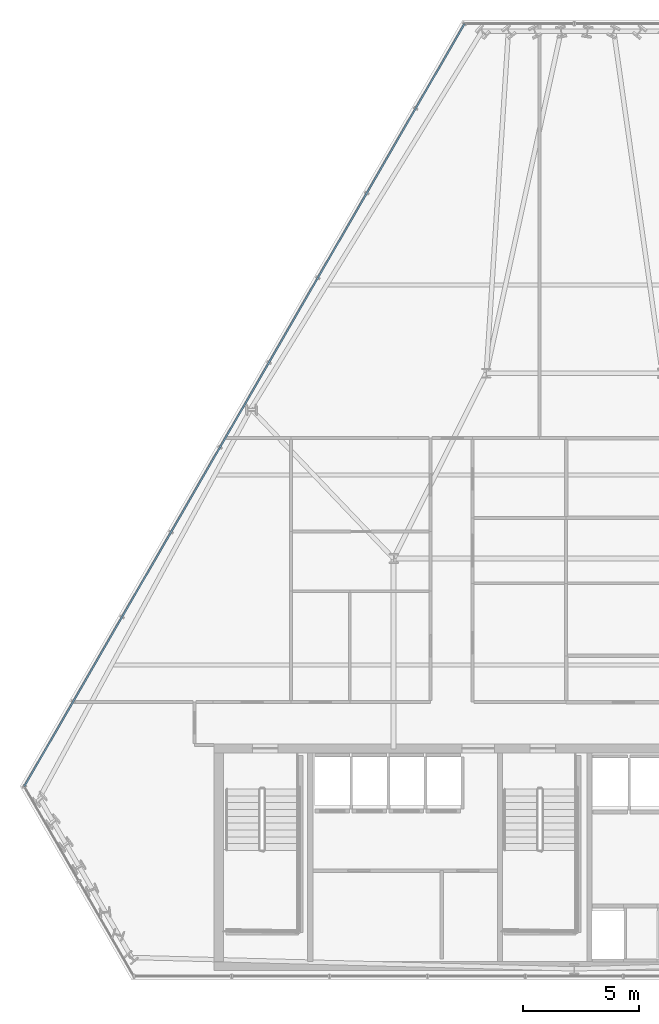
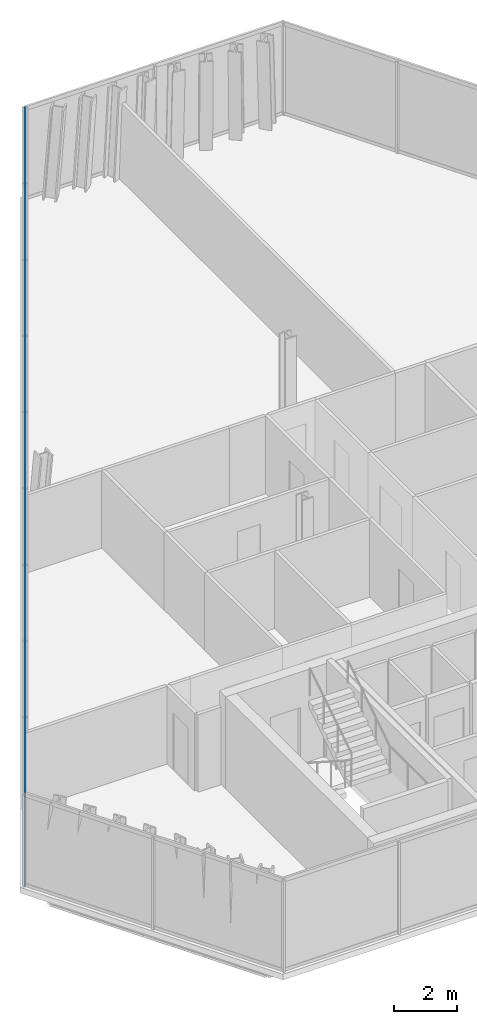
# One storey, part 11 of 33: 2 members, 1 element without a shape of its own.
"""IFC4 building model written with IfcOpenShell, lengths in metres."""

import ifcopenshell
import ifcopenshell.guid

model = None  # the IFC model being written
_history = None  # IfcOwnerHistory: only IFC2X3 demands one
_inside = {}  # id of a spatial element -> (the spatial element, [elements in it])
_under = {}  # id of a project, library or spatial element -> (it, [spatial elements below it])
_declared = {}  # id of a project -> (the project, [libraries it declares])
_typed = {}  # id of a type object -> (the type object, [elements of that type])
_made_of = {}  # id of a material, layer set ... -> (it, [elements and type objects made of it])


def new_model(schema):
    """Start an empty IFC model of exactly this schema.

    Asked for "IFC4X3", IfcOpenShell would pick the latest addendum, in which some entities
    have other attributes; the version numbers below select the first issue.
    IFC2X3 requires an IfcOwnerHistory on every rooted entity: one is made here for all.
    """
    global model, _history
    if schema == "IFC4X3":
        model = ifcopenshell.file(schema_version=(4, 3, 0, 0))
    else:
        model = ifcopenshell.file(schema=schema)
    _inside.clear()
    _under.clear()
    _declared.clear()
    _typed.clear()
    _made_of.clear()
    _history = None
    if model.schema == "IFC2X3":
        org = make("IfcOrganization", Name="unknown")
        user = make(
            "IfcPersonAndOrganization",
            ThePerson=make("IfcPerson", FamilyName="unknown"),
            TheOrganization=org,
        )
        app = make(
            "IfcApplication",
            ApplicationDeveloper=org,
            Version="unknown",
            ApplicationFullName="unknown",
            ApplicationIdentifier="unknown",
        )
        _history = make(
            "IfcOwnerHistory",
            OwningUser=user,
            OwningApplication=app,
            ChangeAction="ADDED",
            CreationDate=0,
        )
    return model


def make(cls, **values):
    """One entity of the class cls with the attributes given. An attribute that is None is left unset."""
    return model.create_entity(
        cls, **{name: value for name, value in values.items() if value is not None}
    )


def rooted(cls, **values):
    """An entity with a GlobalId (a new one), such as an element, a storey or a relation."""
    return make(cls, GlobalId=ifcopenshell.guid.new(), OwnerHistory=_history, **values)


def si_unit(unit_type, name, prefix=None):
    """IfcSIUnit, for example si_unit("LENGTHUNIT", "METRE", prefix="MILLI")."""
    return make("IfcSIUnit", UnitType=unit_type, Prefix=prefix, Name=name)


def assignment(units):
    """IfcUnitAssignment: the units of a project."""
    return None if units is None else make("IfcUnitAssignment", Units=units)


def point(xyz):
    """IfcCartesianPoint."""
    return None if xyz is None else make("IfcCartesianPoint", Coordinates=xyz)


def direction(xyz):
    """IfcDirection."""
    return None if xyz is None else make("IfcDirection", DirectionRatios=xyz)


def frame(location, z_axis=None, x_axis=None):
    """IfcAxis2Placement3D, a coordinate frame: its origin and axes. An axis left out is left unset."""
    return make(
        "IfcAxis2Placement3D",
        Location=point(location),
        Axis=direction(z_axis),
        RefDirection=direction(x_axis),
    )


def frame_2d(location, x_axis=None):
    """IfcAxis2Placement2D, a coordinate frame in the plane: its origin and x axis."""
    return make(
        "IfcAxis2Placement2D", Location=point(location), RefDirection=direction(x_axis)
    )


def origin():
    """The frame at (0, 0, 0) with its axes left unset."""
    return frame((0.0, 0.0, 0.0))


def origin_2d():
    """The frame at (0, 0) in the plane with its x axis left unset."""
    return frame_2d((0.0, 0.0))


def place(relative_to, where):
    """IfcLocalPlacement: puts the frame where relative to a parent placement (None: the world)."""
    return make(
        "IfcLocalPlacement", PlacementRelTo=relative_to, RelativePlacement=where
    )


def context(
    kind, dimensions, precision=None, world=None, true_north=None, identifier=None
):
    """IfcGeometricRepresentationContext, for example the 3D "Model" context."""
    return make(
        "IfcGeometricRepresentationContext",
        ContextIdentifier=identifier,
        ContextType=kind,
        CoordinateSpaceDimension=dimensions,
        Precision=precision,
        WorldCoordinateSystem=world,
        TrueNorth=true_north,
    )


def subcontext(parent, identifier, kind, view, scale=None):
    """IfcGeometricRepresentationSubContext, for example "Body" below "Model"."""
    return make(
        "IfcGeometricRepresentationSubContext",
        ContextIdentifier=identifier,
        ContextType=kind,
        ParentContext=parent,
        TargetScale=scale,
        TargetView=view,
    )


def project(units=None, contexts=None):
    """IfcProject with its units and contexts."""
    return rooted(
        "IfcProject",
        Name="project",
        RepresentationContexts=contexts,
        UnitsInContext=assignment(units),
    )


def spatial(cls, under=None, at=None, **own):
    """A site, building, storey or space (cls), placed at a placement, below another one or the project."""
    s = rooted(cls, ObjectPlacement=at, **own)
    if under is not None:
        _under.setdefault(under.id(), (under, []))[1].append(s)
    return s


def profile(cls, at=None, kind="AREA", **sizes):
    """A parametric profile (cls). Its sizes go by their IFC names, for example OverallWidth=200.0."""
    return make(cls, ProfileType=kind, Position=at, **sizes)


def hollow_rectangle(**sizes):
    """IfcRectangleHollowProfileDef."""
    return profile("IfcRectangleHollowProfileDef", **sizes)


def extrude(swept, where, along, depth):
    """IfcExtrudedAreaSolid: the profile swept, set in the frame where, extruded along a direction by depth."""
    return make(
        "IfcExtrudedAreaSolid",
        SweptArea=swept,
        Position=where,
        ExtrudedDirection=direction(along),
        Depth=depth,
    )


def shape(context_of_items, identifier, shape_type, items):
    """IfcShapeRepresentation: the items that make up one representation, for example the "Body"."""
    return make(
        "IfcShapeRepresentation",
        ContextOfItems=context_of_items,
        RepresentationIdentifier=identifier,
        RepresentationType=shape_type,
        Items=items,
    )


def material(Name=None, Category=None):
    """IfcMaterial."""
    return make("IfcMaterial", Name=Name, Category=Category)


def layer(
    of_material, thickness, ventilated=None, Name=None, Category=None, Priority=None
):
    """IfcMaterialLayer: one layer of a wall or slab, of a material (None: an air gap)."""
    return make(
        "IfcMaterialLayer",
        Material=of_material,
        LayerThickness=thickness,
        IsVentilated=ventilated,
        Name=Name,
        Category=Category,
        Priority=Priority,
    )


def layer_set(layers, Name=None):
    """IfcMaterialLayerSet."""
    return make("IfcMaterialLayerSet", MaterialLayers=layers, LayerSetName=Name)


def material_profile(
    of_material, cross_section, Name=None, Category=None, Priority=None
):
    """IfcMaterialProfile: a cross section and its material."""
    return make(
        "IfcMaterialProfile",
        Name=Name,
        Material=of_material,
        Profile=cross_section,
        Priority=Priority,
        Category=Category,
    )


def profile_set(profiles, Name=None, composite=None):
    """IfcMaterialProfileSet."""
    return make(
        "IfcMaterialProfileSet",
        Name=Name,
        MaterialProfiles=profiles,
        CompositeProfile=composite,
    )


def made_of(thing, what):
    """Note that an element or type object is made of a material, layer set ...; save() writes the relation."""
    if what is not None:
        _made_of.setdefault(what.id(), (what, []))[1].append(thing)
    return thing


def type_object(cls, material=None, **own):
    """A type object (cls), such as IfcWallType, which elements share."""
    return made_of(rooted(cls, **own), material)


def element(
    cls,
    number,
    at=None,
    inside=None,
    cuts=None,
    type_object=None,
    material=None,
    context=None,
    identifier="Body",
    shape_type=None,
    held_by="IfcProductDefinitionShape",
    body=None,
    shapes=None,
    **own,
):
    """One element of the class cls, such as IfcWall. Its Tag is "e" and its number.

    at: its placement. inside: the storey or other place that contains it. cuts: it is an
    opening in that element (IfcRelVoidsElement). A single representation is given by context,
    identifier, shape_type and body (its items); several are given by shapes. held_by: the class
    of the entity that holds the representations. save() writes the other relations.
    """
    e = rooted(cls, Tag="e%d" % number, ObjectPlacement=at, **own)
    if body is not None:
        shapes = [shape(context, identifier, shape_type, body)]
    if shapes is not None:
        e.Representation = make(held_by, Representations=shapes)
    if inside is not None:
        _inside.setdefault(inside.id(), (inside, []))[1].append(e)
    if cuts is not None:
        rooted(
            "IfcRelVoidsElement", RelatingBuildingElement=cuts, RelatedOpeningElement=e
        )
    if type_object is not None:
        _typed.setdefault(type_object.id(), (type_object, []))[1].append(e)
    return made_of(e, material)


def aggregate(whole, parts):
    """IfcRelAggregates: a whole, such as a stair, and the parts it consists of."""
    return rooted("IfcRelAggregates", RelatingObject=whole, RelatedObjects=parts)


def save(model, path):
    """Write the relations noted so far, then the file.

    IfcRelAggregates (storeys below a building ...), IfcRelContainedInSpatialStructure (elements
    in a storey), IfcRelDefinesByType, IfcRelAssociatesMaterial and IfcRelDeclares: one each for
    every whole, place, type object, material and project.
    """
    for whole, parts in _under.values():
        aggregate(whole, parts)
    for where, things in _inside.values():
        rooted(
            "IfcRelContainedInSpatialStructure",
            RelatedElements=things,
            RelatingStructure=where,
        )
    for kind, things in _typed.values():
        rooted("IfcRelDefinesByType", RelatedObjects=things, RelatingType=kind)
    for what, things in _made_of.values():
        rooted("IfcRelAssociatesMaterial", RelatedObjects=things, RelatingMaterial=what)
    for by, libraries in _declared.values():
        rooted("IfcRelDeclares", RelatingContext=by, RelatedDefinitions=libraries)
    model.write(path)


model = new_model("IFC4")

# Units and contexts
model_context = context("Model", 3, precision=1e-05, world=origin(), true_north=direction((0.0, 1.0)))
body_context = subcontext(model_context, "Body", "Model", "MODEL_VIEW")
ifc_project = project(units=[si_unit("LENGTHUNIT", "METRE"), si_unit("AREAUNIT", "SQUARE_METRE"), si_unit("VOLUMEUNIT", "CUBIC_METRE"), si_unit("PLANEANGLEUNIT", "RADIAN"), si_unit("MASSUNIT", "GRAM", prefix="KILO")], contexts=[model_context])

# Site, building, storey
site_placement = place(None, origin())
site = spatial("IfcSite", under=ifc_project, at=site_placement, CompositionType="ELEMENT")
building_placement = place(site_placement, origin())
building = spatial("IfcBuilding", under=site, at=building_placement, Name="Ndaravel Arena Tower", CompositionType="ELEMENT")
storey_placement = place(building_placement, frame((0.0, 0.0, 187.800048828125)))
storey = spatial("IfcBuildingStorey", under=building, at=storey_placement, Name="L45", CompositionType="ELEMENT", Elevation=187.800048828125)

# Curtain wall, members
ifc_material_1 = material(Name="Aluminium", Category="aluminium")
ifc_layer = layer(ifc_material_1, 0.179931640625)
ifc_layer_set = layer_set([ifc_layer], Name="Aluminium")
curtain_wall_type = type_object("IfcCurtainWallType", Name="CW-SYS-03", PredefinedType="NOTDEFINED", material=ifc_layer_set)
curtain_wall_placement = place(storey_placement, origin())
curtain_wall = element("IfcCurtainWall", 1, at=curtain_wall_placement, inside=storey, type_object=curtain_wall_type, Name="L45 Faceted Crystal Curtain Wall CW-L45-E05", PredefinedType="NOTDEFINED")
ifc_material_2 = material(Name="Aluminium", Category="aluminium")
ifc_material_profile = material_profile(ifc_material_2, hollow_rectangle(XDim=0.074951171875, YDim=0.14990234375, WallThickness=0.00390625, at=origin_2d()), Name="CW TRANSOM 75x150x4")
ifc_profile_set = profile_set([ifc_material_profile], Name="Aluminium")
member_type = type_object("IfcMemberType", Name="MEM-CW-TRN150", PredefinedType="USERDEFINED", material=ifc_profile_set)
member_1_placement = place(storey_placement, frame((37.26611328125, 46.29248046875, 0.0400390625), z_axis=(-0.499999580071, -0.866025646231, 0.0), x_axis=(0.866025646231, -0.499999580071, 0.0)))
member_1 = element("IfcMember", 2, at=member_1_placement, type_object=member_type, Name="CW-L45-E05 Transom 01", ObjectType="TRANSOM", PredefinedType="USERDEFINED", context=body_context, shape_type="SweptSolid", body=[
    extrude(hollow_rectangle(XDim=0.074951171875, YDim=0.14990234375, WallThickness=0.00390625, at=origin_2d()), origin(), (0.0, 0.0, 1.0), 38.02783203125),
])
member_2_placement = place(storey_placement, frame((37.26611328125, 46.29248046875, 3.5400390625), z_axis=(-0.499999580071, -0.866025646231, 0.0), x_axis=(0.866025646231, -0.499999580071, 0.0)))
member_2 = element("IfcMember", 3, at=member_2_placement, type_object=member_type, Name="CW-L45-E05 Transom 02", ObjectType="TRANSOM", PredefinedType="USERDEFINED", context=body_context, shape_type="SweptSolid", body=[
    extrude(hollow_rectangle(XDim=0.074951171875, YDim=0.14990234375, WallThickness=0.00390625, at=origin_2d()), origin(), (0.0, 0.0, 1.0), 38.02783203125),
])
aggregate(curtain_wall, [member_1, member_2])

save(model, "model.ifc")
